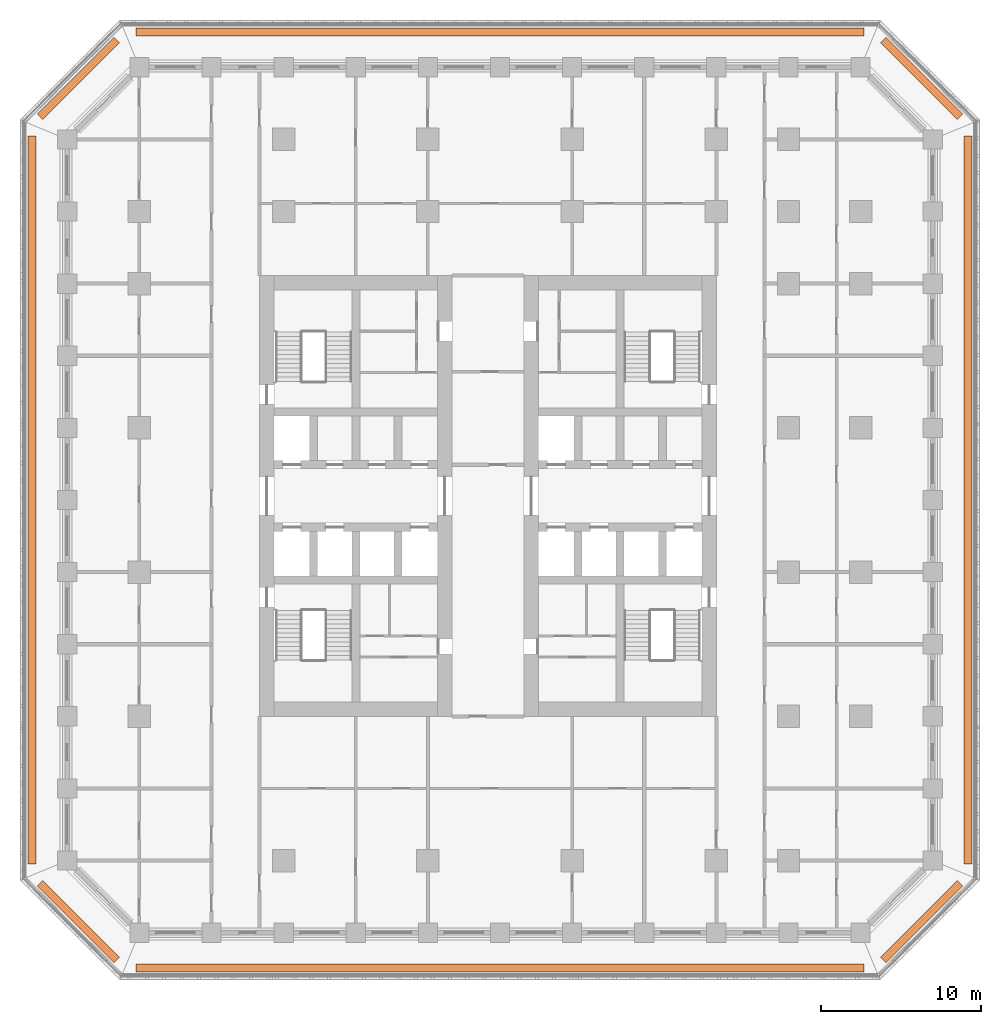
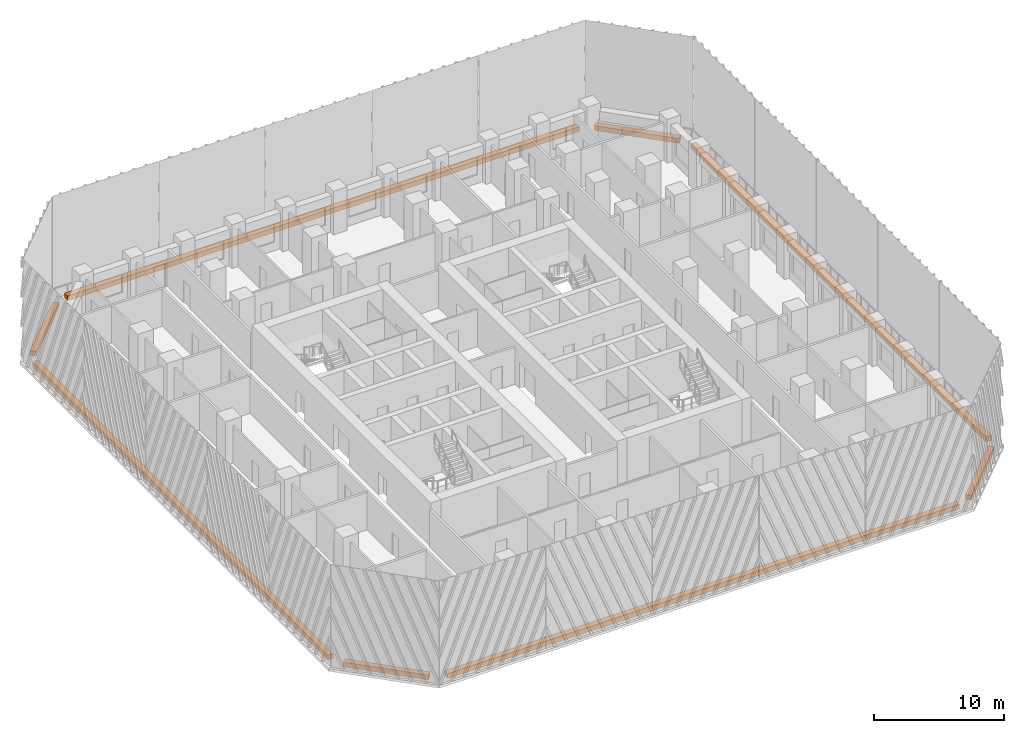
# One storey, part 20 of 20: 8 proxies.
"""IFC4 building model written with IfcOpenShell, lengths in metres."""

from ifc_helpers import new_model, si_unit, direction, frame, origin, origin_2d, place, context, subcontext, project, spatial, rectangle, extrude, material, type_object, element, save


model = new_model("IFC4")

# Units and contexts
model_context = context("Model", 3, precision=1e-05, world=origin(), true_north=direction((0.0, 1.0)))
body_context = subcontext(model_context, "Body", "Model", "MODEL_VIEW")
ifc_project = project(units=[si_unit("LENGTHUNIT", "METRE"), si_unit("AREAUNIT", "SQUARE_METRE"), si_unit("VOLUMEUNIT", "CUBIC_METRE"), si_unit("PLANEANGLEUNIT", "RADIAN"), si_unit("MASSUNIT", "GRAM", prefix="KILO")], contexts=[model_context])

# Site, building, storey
site_placement = place(None, origin())
site = spatial("IfcSite", under=ifc_project, at=site_placement, CompositionType="ELEMENT")
building_placement = place(site_placement, origin())
building = spatial("IfcBuilding", under=site, at=building_placement, Name="Corbel Stack Research Tower", CompositionType="ELEMENT")
storey_placement = place(building_placement, frame((0.0, 0.0, 106.60009765625)))
storey = spatial("IfcBuildingStorey", under=building, at=storey_placement, Name="L24", CompositionType="ELEMENT", Elevation=106.60009765625)

# Proxies
ifc_material = material(Name="Concrete C45/55", Category="concrete")
building_element_proxy_type = type_object("IfcBuildingElementProxyType", Name="Planter box", PredefinedType="USERDEFINED", material=ifc_material)
proxy_1_placement = place(storey_placement, frame((4.5, -24.699951171875, 0.0), z_axis=(0.0, 0.0, 1.0), x_axis=(1.0, 0.0, 0.0)))
element("IfcBuildingElementProxy", 1, at=proxy_1_placement, inside=storey, type_object=building_element_proxy_type, Name="Planter L24 S", ObjectType="PLANTER", PredefinedType="USERDEFINED", context=body_context, shape_type="SweptSolid", body=[
    extrude(rectangle(XDim=45.41064453125, YDim=0.5, at=origin_2d()), origin(), (0.0, 0.0, 1.0), 0.449951171875),
])
proxy_2_placement = place(storey_placement, frame((30.8056640625, -21.8056640625, 0.0), z_axis=(0.0, 0.0, 1.0), x_axis=(0.707106781187, 0.707106781187, 0.0)))
element("IfcBuildingElementProxy", 2, at=proxy_2_placement, inside=storey, type_object=building_element_proxy_type, Name="Planter L24 SE", ObjectType="PLANTER", PredefinedType="USERDEFINED", context=body_context, shape_type="SweptSolid", body=[
    extrude(rectangle(XDim=6.774658203125, YDim=0.5, at=origin_2d()), origin(), (0.0, 0.0, 1.0), 0.449951171875),
])
proxy_3_placement = place(storey_placement, frame((33.699951171875, 4.5, 0.0), z_axis=(0.0, 0.0, 1.0), x_axis=(0.0, 1.0, 0.0)))
element("IfcBuildingElementProxy", 3, at=proxy_3_placement, inside=storey, type_object=building_element_proxy_type, Name="Planter L24 E", ObjectType="PLANTER", PredefinedType="USERDEFINED", context=body_context, shape_type="SweptSolid", body=[
    extrude(rectangle(XDim=45.41064453125, YDim=0.5, at=origin_2d()), origin(), (0.0, 0.0, 1.0), 0.449951171875),
])
proxy_4_placement = place(storey_placement, frame((30.8056640625, 30.8056640625, 0.0), z_axis=(0.0, 0.0, 1.0), x_axis=(-0.707106781187, 0.707106781187, 0.0)))
element("IfcBuildingElementProxy", 4, at=proxy_4_placement, inside=storey, type_object=building_element_proxy_type, Name="Planter L24 NE", ObjectType="PLANTER", PredefinedType="USERDEFINED", context=body_context, shape_type="SweptSolid", body=[
    extrude(rectangle(XDim=6.774658203125, YDim=0.5, at=origin_2d()), origin(), (0.0, 0.0, 1.0), 0.449951171875),
])
proxy_5_placement = place(storey_placement, frame((4.5, 33.699951171875, 0.0), z_axis=(0.0, 0.0, 1.0), x_axis=(-1.0, 0.0, 0.0)))
element("IfcBuildingElementProxy", 5, at=proxy_5_placement, inside=storey, type_object=building_element_proxy_type, Name="Planter L24 N", ObjectType="PLANTER", PredefinedType="USERDEFINED", context=body_context, shape_type="SweptSolid", body=[
    extrude(rectangle(XDim=45.41064453125, YDim=0.5, at=origin_2d()), origin(), (0.0, 0.0, 1.0), 0.449951171875),
])
proxy_6_placement = place(storey_placement, frame((-21.8056640625, 30.8056640625, 0.0), z_axis=(0.0, 0.0, 1.0), x_axis=(-0.707106781187, -0.707106781187, 0.0)))
element("IfcBuildingElementProxy", 6, at=proxy_6_placement, inside=storey, type_object=building_element_proxy_type, Name="Planter L24 NW", ObjectType="PLANTER", PredefinedType="USERDEFINED", context=body_context, shape_type="SweptSolid", body=[
    extrude(rectangle(XDim=6.774658203125, YDim=0.5, at=origin_2d()), origin(), (0.0, 0.0, 1.0), 0.449951171875),
])
proxy_7_placement = place(storey_placement, frame((-24.699951171875, 4.5, 0.0), z_axis=(0.0, 0.0, 1.0), x_axis=(0.0, -1.0, 0.0)))
element("IfcBuildingElementProxy", 7, at=proxy_7_placement, inside=storey, type_object=building_element_proxy_type, Name="Planter L24 W", ObjectType="PLANTER", PredefinedType="USERDEFINED", context=body_context, shape_type="SweptSolid", body=[
    extrude(rectangle(XDim=45.41064453125, YDim=0.5, at=origin_2d()), origin(), (0.0, 0.0, 1.0), 0.449951171875),
])
proxy_8_placement = place(storey_placement, frame((-21.8056640625, -21.8056640625, 0.0), z_axis=(0.0, 0.0, 1.0), x_axis=(0.707106781187, -0.707106781187, 0.0)))
element("IfcBuildingElementProxy", 8, at=proxy_8_placement, inside=storey, type_object=building_element_proxy_type, Name="Planter L24 SW", ObjectType="PLANTER", PredefinedType="USERDEFINED", context=body_context, shape_type="SweptSolid", body=[
    extrude(rectangle(XDim=6.774658203125, YDim=0.5, at=origin_2d()), origin(), (0.0, 0.0, 1.0), 0.449951171875),
])

save(model, "model.ifc")
